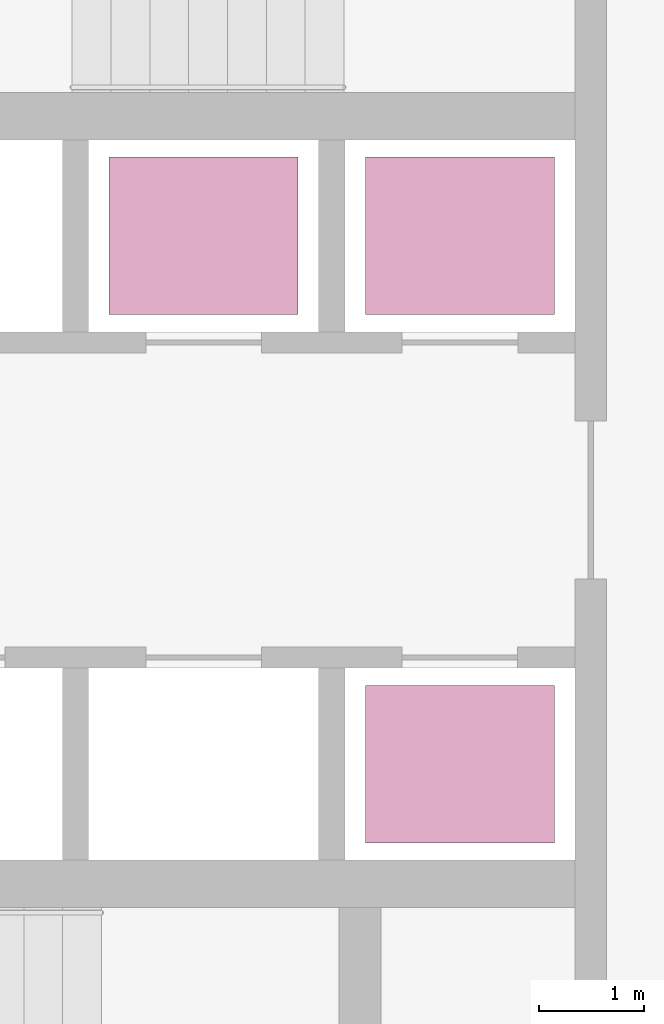
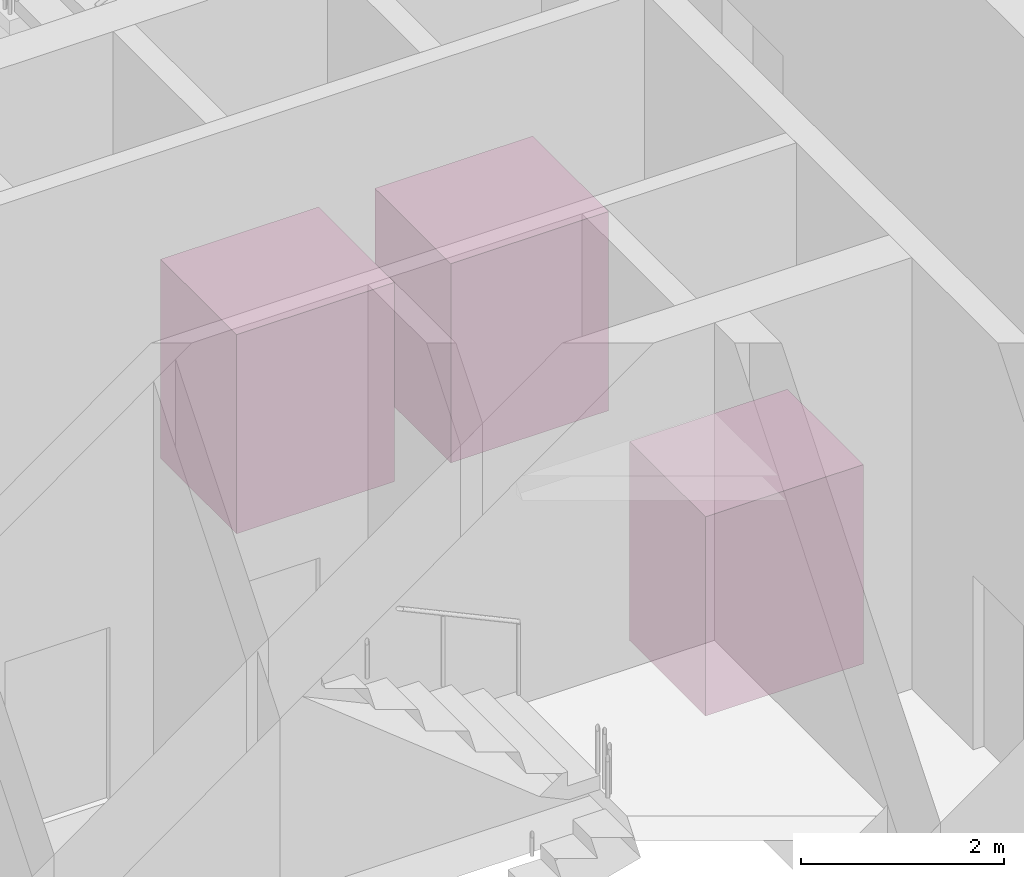
# One storey, part 19 of 19: 3 transport elements.
"""IFC4 building model written with IfcOpenShell, lengths in metres."""

from ifc_helpers import new_model, si_unit, direction, frame, origin, origin_2d, place, context, subcontext, project, spatial, rectangle, extrude, material, type_object, element, save


model = new_model("IFC4")

# Units and contexts
model_context = context("Model", 3, precision=1e-05, world=origin(), true_north=direction((0.0, 1.0)))
body_context = subcontext(model_context, "Body", "Model", "MODEL_VIEW")
ifc_project = project(units=[si_unit("LENGTHUNIT", "METRE"), si_unit("AREAUNIT", "SQUARE_METRE"), si_unit("VOLUMEUNIT", "CUBIC_METRE"), si_unit("PLANEANGLEUNIT", "RADIAN"), si_unit("MASSUNIT", "GRAM", prefix="KILO")], contexts=[model_context])

# Site, building, storey
site_placement = place(None, origin())
site = spatial("IfcSite", under=ifc_project, at=site_placement, CompositionType="ELEMENT")
building_placement = place(site_placement, origin())
building = spatial("IfcBuilding", under=site, at=building_placement, Name="Vermilion Reach Broadcast Tower", CompositionType="ELEMENT")
storey_placement = place(building_placement, frame((0.0, 0.0, 190.199951171875)))
storey = spatial("IfcBuildingStorey", under=building, at=storey_placement, Name="L46", CompositionType="ELEMENT", Elevation=190.199951171875)

# Transport elements
ifc_material = material(Name="Stainless steel", Category="steel")
transport_element_type = type_object("IfcTransportElementType", Name="Passenger lift car 1800 x 1500 1275 kg", PredefinedType="ELEVATOR", material=ifc_material)
for number, where, z_axis, x_axis, name in (
    (1, (-2.33740234375, 2.514892578125, 0.0), (0.0, 0.0, 1.0), (1.0, 0.0, 0.0), "Passenger lift HR1"),
    (2, (0.104248046875, 2.514892578125, 0.0), (0.0, 0.0, 1.0), (1.0, 0.0, 0.0), "Passenger lift HR2"),
    (3, (0.104248046875, -2.514892578125, 0.0), (0.0, 0.0, 1.0), (1.0, 0.0, 0.0), "Passenger lift HR3"),
):
    element("IfcTransportElement", number, at=place(storey_placement, frame(where, z_axis=z_axis, x_axis=x_axis)), inside=storey, type_object=transport_element_type, Name=name, PredefinedType="ELEVATOR", context=body_context, shape_type="SweptSolid", body=[
        extrude(rectangle(XDim=1.800048828125, YDim=1.5, at=origin_2d()), origin(), (0.0, 0.0, 1.0), 2.39990234375),
    ])

save(model, "model.ifc")
